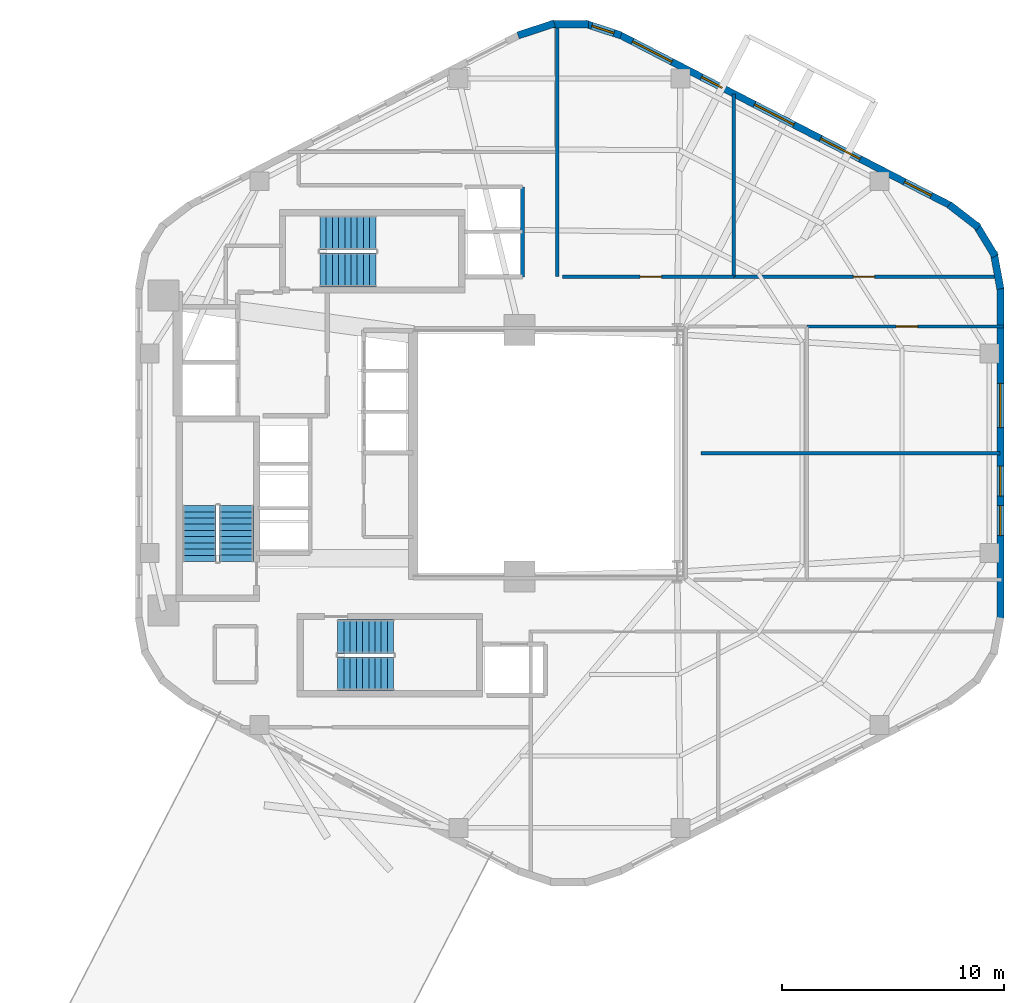
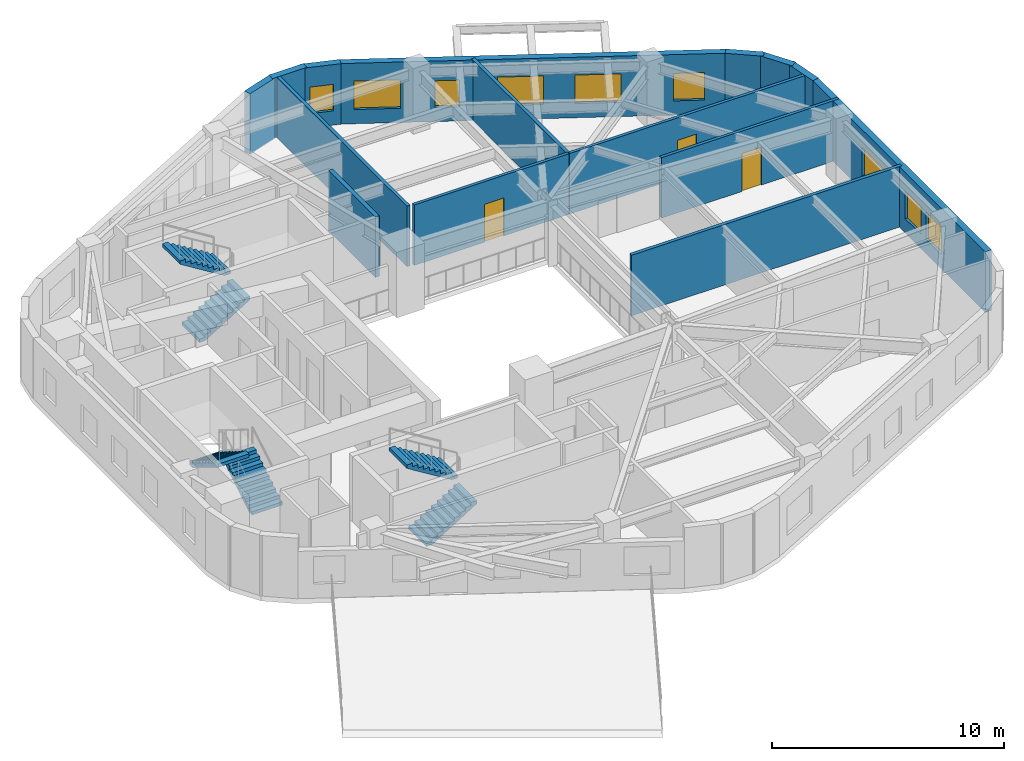
# One storey, part 5 of 7: 15 walls, 9 windows, 6 stair flights, 3 doors, 12 openings, 3 elements without a shape of their own.
"""IFC4 building model written with IfcOpenShell, lengths in metres."""

from ifc_helpers import new_model, si_unit, direction, frame, frame_2d, origin, place, context, subcontext, project, spatial, polyline, rectangle, outline, extrude, material, layer, layer_set, type_object, element, fill, aggregate, save


model = new_model("IFC4")

# Units and contexts
model_context = context("Model", 3, precision=1e-05, world=origin(), true_north=direction((0.0, 1.0)))
body_context = subcontext(model_context, "Body", "Model", "MODEL_VIEW")
ifc_project = project(units=[si_unit("LENGTHUNIT", "METRE"), si_unit("AREAUNIT", "SQUARE_METRE"), si_unit("VOLUMEUNIT", "CUBIC_METRE"), si_unit("PLANEANGLEUNIT", "RADIAN"), si_unit("MASSUNIT", "GRAM", prefix="KILO"), si_unit("THERMODYNAMICTEMPERATUREUNIT", "KELVIN"), si_unit("POWERUNIT", "WATT")], contexts=[model_context])

# Site, building, storey
site_placement = place(None, origin())
site = spatial("IfcSite", under=ifc_project, at=site_placement, CompositionType="ELEMENT")
building_placement = place(site_placement, origin())
building = spatial("IfcBuilding", under=site, at=building_placement, Name="Skarre Station Tower", CompositionType="ELEMENT")
storey_placement = place(building_placement, frame((0.0, 0.0, 184.35009765625)))
storey = spatial("IfcBuildingStorey", under=building, at=storey_placement, Name="L50", CompositionType="ELEMENT", Elevation=184.35009765625)

# Wall, opening, door
ifc_material_1 = material(Name="Acoustic Steel-Stud Gypsum Partition", Category="steel")
ifc_layer_1 = layer(ifc_material_1, 0.14990234375, Name="Acoustic Steel-Stud Gypsum Partition")
ifc_layer_set_1 = layer_set([ifc_layer_1], Name="Acoustic Steel-Stud Gypsum Partition")
wall_type_1 = type_object("IfcWallType", Name="Fire-Rated Corridor Acoustic Partition 150", PredefinedType="PARTITIONING", material=ifc_layer_set_1)
wall_1_placement = place(storey_placement, frame((42.0029296875, 31.9599609375, 0.0), z_axis=(0.0, 0.0, 1.0), x_axis=(-1.0, 0.0, 0.0)))
wall_1 = element("IfcWall", 1, at=wall_1_placement, inside=storey, type_object=wall_type_1, Name="L50 Interior Partition WL-PT-L50-NW1-CW", PredefinedType="PARTITIONING", context=body_context, shape_type="SweptSolid", body=[
    extrude(rectangle(XDim=7.712890625, YDim=0.14990234375, at=frame_2d((3.8564453125, 0.0))), origin(), (0.0, 0.0, 1.0), 3.18994140625),
])
opening_1_placement = place(wall_1_placement, frame((3.257080078125, 0.0, 0.0)))
opening_1 = element("IfcOpeningElement", 2, at=opening_1_placement, cuts=wall_1, Name="Opening DR-FD60", PredefinedType="OPENING", context=body_context, shape_type="SweptSolid", body=[
    extrude(rectangle(XDim=0.9599609375, YDim=2.0, at=frame_2d((0.47998046875, 1.0))), frame((0.0, 0.0849609375, 0.0), z_axis=(0.0, -1.0, 0.0), x_axis=(1.0, 0.0, 0.0)), (0.0, 0.0, 1.0), 0.169921875),
])
ifc_material_2 = material(Name="Nordic White-Oak Veneer Solid-Core Fire Leaf", Category="wood")
door_type = type_object("IfcDoorType", Name="Corridor Suite Entry Fire Door FD60 960x2150", OperationType="SINGLE_SWING_LEFT", PredefinedType="DOOR", material=ifc_material_2)
door_1_placement = place(opening_1_placement, origin())
door_1 = element("IfcDoor", 3, at=door_1_placement, inside=storey, type_object=door_type, Name="L50 NW1 Entry Door", OperationType="SINGLE_SWING_LEFT", OverallHeight=2.0, OverallWidth=0.9599609375, PredefinedType="DOOR", context=body_context, shape_type="SweptSolid", body=[
    extrude(rectangle(XDim=0.9599609375, YDim=2.0, at=frame_2d((0.47998046875, 1.0))), frame((0.0, 0.02490234375, 0.0), z_axis=(0.0, -1.0, 0.0), x_axis=(1.0, 0.0, 0.0)), (0.0, 0.0, 1.0), 0.050048828125),
])
fill(opening_1, door_1)

wall_2_placement = place(storey_placement, frame((53.969970703125, 31.9599609375, 0.0), z_axis=(0.0, 0.0, 1.0), x_axis=(-1.0, 0.0, 0.0)))
wall_2 = element("IfcWall", 4, at=wall_2_placement, inside=storey, type_object=wall_type_1, Name="L50 Interior Partition WL-PT-L50-NW2-CW", PredefinedType="PARTITIONING", context=body_context, shape_type="SweptSolid", body=[
    extrude(rectangle(XDim=11.95703125, YDim=0.14990234375, at=frame_2d((5.978515625, 0.0))), origin(), (0.0, 0.0, 1.0), 3.18994140625),
])
opening_2_placement = place(wall_2_placement, frame((5.617919921875, 0.0, 0.0)))
opening_2 = element("IfcOpeningElement", 5, at=opening_2_placement, cuts=wall_2, Name="Opening DR-FD60", PredefinedType="OPENING", context=body_context, shape_type="SweptSolid", body=[
    extrude(rectangle(XDim=0.9599609375, YDim=2.0, at=frame_2d((0.47998046875, 1.0))), frame((0.0, 0.0849609375, 0.0), z_axis=(0.0, -1.0, 0.0), x_axis=(1.0, 0.0, 0.0)), (0.0, 0.0, 1.0), 0.169921875),
])
door_2_placement = place(opening_2_placement, origin())
door_2 = element("IfcDoor", 6, at=door_2_placement, inside=storey, type_object=door_type, Name="L50 NW2 Entry Door", OperationType="SINGLE_SWING_LEFT", OverallHeight=2.0, OverallWidth=0.9599609375, PredefinedType="DOOR", context=body_context, shape_type="SweptSolid", body=[
    extrude(rectangle(XDim=0.9599609375, YDim=2.0, at=frame_2d((0.47998046875, 1.0))), frame((0.0, 0.02490234375, 0.0), z_axis=(0.0, -1.0, 0.0), x_axis=(1.0, 0.0, 0.0)), (0.0, 0.0, 1.0), 0.050048828125),
])
fill(opening_2, door_2)

wall_3_placement = place(storey_placement, frame((45.301025390625, 29.7099609375, 0.0), z_axis=(0.0, 0.0, 1.0), x_axis=(1.0, 0.0, 0.0)))
wall_3 = element("IfcWall", 7, at=wall_3_placement, inside=storey, type_object=wall_type_1, Name="L50 Interior Partition WL-PT-L50-EWN2-CW", PredefinedType="PARTITIONING", context=body_context, shape_type="SweptSolid", body=[
    extrude(rectangle(XDim=8.861083984375, YDim=0.14990234375, at=frame_2d((4.4306640625, 0.0))), origin(), (0.0, 0.0, 1.0), 3.18994140625),
])
opening_3_placement = place(wall_3_placement, frame((4.02490234375, 0.0, 0.0)))
opening_3 = element("IfcOpeningElement", 8, at=opening_3_placement, cuts=wall_3, Name="Opening DR-FD60", PredefinedType="OPENING", context=body_context, shape_type="SweptSolid", body=[
    extrude(rectangle(XDim=0.9599609375, YDim=2.0, at=frame_2d((0.47998046875, 1.0))), frame((0.0, 0.0849609375, 0.0), z_axis=(0.0, -1.0, 0.0), x_axis=(1.0, 0.0, 0.0)), (0.0, 0.0, 1.0), 0.169921875),
])
door_3_placement = place(opening_3_placement, origin())
door_3 = element("IfcDoor", 9, at=door_3_placement, inside=storey, type_object=door_type, Name="L50 EWN2 Entry Door", OperationType="SINGLE_SWING_LEFT", OverallHeight=2.0, OverallWidth=0.9599609375, PredefinedType="DOOR", context=body_context, shape_type="SweptSolid", body=[
    extrude(rectangle(XDim=0.9599609375, YDim=2.0, at=frame_2d((0.47998046875, 1.0))), frame((0.0, 0.02490234375, 0.0), z_axis=(0.0, -1.0, 0.0), x_axis=(1.0, 0.0, 0.0)), (0.0, 0.0, 1.0), 0.050048828125),
])
fill(opening_3, door_3)

# Walls
ifc_material_3 = material(Name="Precast concrete C45/55", Category="concrete")
ifc_layer_2 = layer(ifc_material_3, 0.330078125, Name="Precast concrete C45/55")
ifc_layer_set_2 = layer_set([ifc_layer_2], Name="Precast concrete C45/55")
wall_type_2 = type_object("IfcWallType", Name="Nordic Rounded Corner Precast Wall 330", PredefinedType="STANDARD", material=ifc_layer_set_2)
wall_4_placement = place(storey_placement, frame((51.7109375, 35.199951171875, 0.0), z_axis=(0.0, 0.0, 1.0), x_axis=(0.791464279355, -0.611215423976, 0.0)))
element("IfcWall", 10, at=wall_4_placement, inside=storey, type_object=wall_type_2, Name="L50 Rounded Corner Precast Wall F0-1", PredefinedType="STANDARD", context=body_context, shape_type="SweptSolid", body=[
    extrude(rectangle(XDim=1.6767578125, YDim=0.330078125, at=frame_2d((0.83837890625, 0.0))), origin(), (0.0, 0.0, 1.0), 3.18994140625),
])
wall_5_placement = place(storey_placement, frame((52.912109375, 34.31494140625, 0.0), z_axis=(0.0, 0.0, 1.0), x_axis=(0.520219286058, -0.85403272444, 0.0)))
element("IfcWall", 11, at=wall_5_placement, inside=storey, type_object=wall_type_2, Name="L50 Rounded Corner Precast Wall F0-2", PredefinedType="STANDARD", context=body_context, shape_type="SweptSolid", body=[
    extrude(rectangle(XDim=1.677734375, YDim=0.330078125, at=frame_2d((0.8388671875, 0.0))), origin(), (0.0, 0.0, 1.0), 3.18994140625),
])
wall_6_placement = place(storey_placement, frame((53.718017578125, 33.056884765625, 0.0), z_axis=(0.0, 0.0, 1.0), x_axis=(0.180717642671, -0.983535019014, 0.0)))
element("IfcWall", 12, at=wall_6_placement, inside=storey, type_object=wall_type_2, Name="L50 Rounded Corner Precast Wall F0-3", PredefinedType="STANDARD", context=body_context, shape_type="SweptSolid", body=[
    extrude(rectangle(XDim=1.676513671875, YDim=0.330078125, at=frame_2d((0.83837890625, 0.0))), origin(), (0.0, 0.0, 1.0), 3.18994140625),
])
wall_7_placement = place(storey_placement, frame((32.281005859375, 42.83203125, 0.0), z_axis=(0.0, 0.0, 1.0), x_axis=(0.949937416267, 0.312440242569, 0.0)))
element("IfcWall", 13, at=wall_7_placement, inside=storey, type_object=wall_type_2, Name="L50 Rounded Corner Precast Wall F1-1", PredefinedType="STANDARD", context=body_context, shape_type="SweptSolid", body=[
    extrude(rectangle(XDim=1.72216796875, YDim=0.330078125, at=frame_2d((0.861083984375, 0.0))), origin(), (0.0, 0.0, 1.0), 3.18994140625),
])
wall_8_placement = place(storey_placement, frame((33.739013671875, 43.341064453125, 0.0), z_axis=(0.0, 0.0, 1.0), x_axis=(1.0, 0.0, 0.0)))
element("IfcWall", 14, at=wall_8_placement, inside=storey, type_object=wall_type_2, Name="L50 Rounded Corner Precast Wall F1-2", PredefinedType="STANDARD", context=body_context, shape_type="SweptSolid", body=[
    extrude(rectangle(XDim=1.721923828125, YDim=0.330078125, at=frame_2d((0.86083984375, 0.0))), origin(), (0.0, 0.0, 1.0), 3.18994140625),
])

# Wall, opening, window
wall_9_placement = place(storey_placement, frame((35.282958984375, 43.3701171875, 0.0), z_axis=(0.0, 0.0, 1.0), x_axis=(0.949937416267, -0.312440242569, 0.0)))
wall_9 = element("IfcWall", 15, at=wall_9_placement, inside=storey, type_object=wall_type_2, Name="L50 Rounded Corner Precast Wall F1-3", PredefinedType="STANDARD", context=body_context, shape_type="SweptSolid", body=[
    extrude(rectangle(XDim=1.72216796875, YDim=0.330078125, at=frame_2d((0.861083984375, 0.0))), origin(), (0.0, 0.0, 1.0), 3.18994140625),
])
opening_4_placement = place(wall_9_placement, frame((0.3359375, 0.0, 0.75)))
opening_4 = element("IfcOpeningElement", 16, at=opening_4_placement, cuts=wall_9, Name="Opening WN-SLT", PredefinedType="OPENING", context=body_context, shape_type="SweptSolid", body=[
    extrude(rectangle(XDim=1.050048828125, YDim=1.39990234375, at=frame_2d((0.52490234375, 0.699951171875))), frame((0.0, 0.175048828125, 0.0), z_axis=(0.0, -1.0, 0.0), x_axis=(1.0, 0.0, 0.0)), (0.0, 0.0, 1.0), 0.35009765625),
])
ifc_material_4 = material(Name="Low-Iron Triple Glazing with Bronze Anodized Frame", Category="glass")
window_type_1 = type_object("IfcWindowType", Name="Nordic Corner Slot Window 1050x1400", PartitioningType="SINGLE_PANEL", PredefinedType="WINDOW", material=ifc_material_4)
window_1_placement = place(opening_4_placement, origin())
window_1 = element("IfcWindow", 17, at=window_1_placement, inside=storey, type_object=window_type_1, Name="L50 Apex Corner Slot Window F1-3", OverallHeight=1.39990234375, OverallWidth=1.050048828125, PartitioningType="SINGLE_PANEL", PredefinedType="WINDOW", context=body_context, shape_type="SweptSolid", body=[
    extrude(rectangle(XDim=1.050048828125, YDim=1.39990234375, at=frame_2d((0.52490234375, 0.699951171875))), frame((0.0, 0.030029296875, 0.0), z_axis=(0.0, -1.0, 0.0), x_axis=(1.0, 0.0, 0.0)), (0.0, 0.0, 1.0), 0.06005859375),
])
fill(opening_4, window_1)

# Wall, openings, windows
ifc_layer_3 = layer(ifc_material_3, 0.31005859375, Name="Precast concrete C45/55")
ifc_layer_set_3 = layer_set([ifc_layer_3], Name="Precast concrete C45/55")
wall_type_3 = type_object("IfcWallType", Name="Nordic Upper-Zone Precast Facet Wall 310", PredefinedType="STANDARD", material=ifc_layer_set_3)
wall_10_placement = place(storey_placement, frame((36.837890625, 42.87109375, 0.0), z_axis=(0.0, 0.0, 1.0), x_axis=(0.888626188278, -0.458632202867, 0.0)))
wall_10 = element("IfcWall", 18, at=wall_10_placement, inside=storey, type_object=wall_type_3, Name="L50 Facet 0 Nordic Precast Masonry Wall", PredefinedType="STANDARD", context=body_context, shape_type="SweptSolid", body=[
    extrude(rectangle(XDim=16.828369140625, YDim=0.31005859375, at=frame_2d((8.4140625, 0.0))), origin(), (0.0, 0.0, 1.0), 3.18994140625),
])
opening_5_placement = place(wall_10_placement, frame((0.675048828125, 0.0, 0.75)))
opening_5 = element("IfcOpeningElement", 19, at=opening_5_placement, cuts=wall_10, Name="Opening WN-Z3A", PredefinedType="OPENING", context=body_context, shape_type="SweptSolid", body=[
    extrude(rectangle(XDim=2.0, YDim=1.5, at=frame_2d((1.0, 0.75))), frame((0.0, 0.1650390625, 0.0), z_axis=(0.0, -1.0, 0.0), x_axis=(1.0, 0.0, 0.0)), (0.0, 0.0, 1.0), 0.330078125),
])
opening_6_placement = place(wall_10_placement, frame((4.172119140625, 0.0, 0.75)))
opening_6 = element("IfcOpeningElement", 20, at=opening_6_placement, cuts=wall_10, Name="Opening WN-SLT", PredefinedType="OPENING", context=body_context, shape_type="SweptSolid", body=[
    extrude(rectangle(XDim=1.050048828125, YDim=1.39990234375, at=frame_2d((0.52490234375, 0.699951171875))), frame((0.0, 0.1650390625, 0.0), z_axis=(0.0, -1.0, 0.0), x_axis=(1.0, 0.0, 0.0)), (0.0, 0.0, 1.0), 0.330078125),
])
opening_7_placement = place(wall_10_placement, frame((6.864990234375, 0.0, 0.75)))
opening_7 = element("IfcOpeningElement", 21, at=opening_7_placement, cuts=wall_10, Name="Opening WN-Z3A", PredefinedType="OPENING", context=body_context, shape_type="SweptSolid", body=[
    extrude(rectangle(XDim=2.0, YDim=1.5, at=frame_2d((1.0, 0.75))), frame((0.0, 0.1650390625, 0.0), z_axis=(0.0, -1.0, 0.0), x_axis=(1.0, 0.0, 0.0)), (0.0, 0.0, 1.0), 0.330078125),
])
opening_8_placement = place(wall_10_placement, frame((10.219970703125, 0.0, 0.75)))
opening_8 = element("IfcOpeningElement", 22, at=opening_8_placement, cuts=wall_10, Name="Opening WN-Z3A", PredefinedType="OPENING", context=body_context, shape_type="SweptSolid", body=[
    extrude(rectangle(XDim=2.0, YDim=1.5, at=frame_2d((1.0, 0.75))), frame((0.0, 0.1650390625, 0.0), z_axis=(0.0, -1.0, 0.0), x_axis=(1.0, 0.0, 0.0)), (0.0, 0.0, 1.0), 0.330078125),
])
opening_9_placement = place(wall_10_placement, frame((14.47802734375, 0.0, 0.75)))
opening_9 = element("IfcOpeningElement", 23, at=opening_9_placement, cuts=wall_10, Name="Opening WN-Z3B", PredefinedType="OPENING", context=body_context, shape_type="SweptSolid", body=[
    extrude(rectangle(XDim=1.35009765625, YDim=1.449951171875, at=frame_2d((0.675048828125, 0.72509765625))), frame((0.0, 0.1650390625, 0.0), z_axis=(0.0, -1.0, 0.0), x_axis=(1.0, 0.0, 0.0)), (0.0, 0.0, 1.0), 0.330078125),
])
window_2_placement = place(opening_6_placement, origin())
window_2 = element("IfcWindow", 24, at=window_2_placement, inside=storey, type_object=window_type_1, Name="L50 Facade Window WL-FAC-L50-F0-2", OverallHeight=1.39990234375, OverallWidth=1.050048828125, PartitioningType="SINGLE_PANEL", PredefinedType="WINDOW", context=body_context, shape_type="SweptSolid", body=[
    extrude(rectangle(XDim=1.050048828125, YDim=1.39990234375, at=frame_2d((0.52490234375, 0.699951171875))), frame((0.0, 0.030029296875, 0.0), z_axis=(0.0, -1.0, 0.0), x_axis=(1.0, 0.0, 0.0)), (0.0, 0.0, 1.0), 0.06005859375),
])
fill(opening_6, window_2)
window_type_2 = type_object("IfcWindowType", Name="Nordic Hospitality Narrow Window 1350x1450", PartitioningType="SINGLE_PANEL", PredefinedType="WINDOW", material=ifc_material_4)
window_3_placement = place(opening_9_placement, origin())
window_3 = element("IfcWindow", 25, at=window_3_placement, inside=storey, type_object=window_type_2, Name="L50 Facade Window WL-FAC-L50-F0-5", OverallHeight=1.449951171875, OverallWidth=1.35009765625, PartitioningType="SINGLE_PANEL", PredefinedType="WINDOW", context=body_context, shape_type="SweptSolid", body=[
    extrude(rectangle(XDim=1.35009765625, YDim=1.449951171875, at=frame_2d((0.675048828125, 0.72509765625))), frame((0.0, 0.030029296875, 0.0), z_axis=(0.0, -1.0, 0.0), x_axis=(1.0, 0.0, 0.0)), (0.0, 0.0, 1.0), 0.06005859375),
])
fill(opening_9, window_3)
window_type_3 = type_object("IfcWindowType", Name="Nordic Hospitality Window 2000x1500", PartitioningType="SINGLE_PANEL", PredefinedType="WINDOW", material=ifc_material_4)
window_4_placement = place(opening_5_placement, origin())
window_4 = element("IfcWindow", 26, at=window_4_placement, inside=storey, type_object=window_type_3, Name="L50 Facade Window WL-FAC-L50-F0-1", OverallHeight=1.5, OverallWidth=2.0, PartitioningType="SINGLE_PANEL", PredefinedType="WINDOW", context=body_context, shape_type="SweptSolid", body=[
    extrude(rectangle(XDim=2.0, YDim=1.5, at=frame_2d((1.0, 0.75))), frame((0.0, 0.030029296875, 0.0), z_axis=(0.0, -1.0, 0.0), x_axis=(1.0, 0.0, 0.0)), (0.0, 0.0, 1.0), 0.06005859375),
])
fill(opening_5, window_4)
window_5_placement = place(opening_7_placement, origin())
window_5 = element("IfcWindow", 27, at=window_5_placement, inside=storey, type_object=window_type_3, Name="L50 Facade Window WL-FAC-L50-F0-3", OverallHeight=1.5, OverallWidth=2.0, PartitioningType="SINGLE_PANEL", PredefinedType="WINDOW", context=body_context, shape_type="SweptSolid", body=[
    extrude(rectangle(XDim=2.0, YDim=1.5, at=frame_2d((1.0, 0.75))), frame((0.0, 0.030029296875, 0.0), z_axis=(0.0, -1.0, 0.0), x_axis=(1.0, 0.0, 0.0)), (0.0, 0.0, 1.0), 0.06005859375),
])
fill(opening_7, window_5)
window_6_placement = place(opening_8_placement, origin())
window_6 = element("IfcWindow", 28, at=window_6_placement, inside=storey, type_object=window_type_3, Name="L50 Facade Window WL-FAC-L50-F0-4", OverallHeight=1.5, OverallWidth=2.0, PartitioningType="SINGLE_PANEL", PredefinedType="WINDOW", context=body_context, shape_type="SweptSolid", body=[
    extrude(rectangle(XDim=2.0, YDim=1.5, at=frame_2d((1.0, 0.75))), frame((0.0, 0.030029296875, 0.0), z_axis=(0.0, -1.0, 0.0), x_axis=(1.0, 0.0, 0.0)), (0.0, 0.0, 1.0), 0.06005859375),
])
fill(opening_8, window_6)

wall_11_placement = place(storey_placement, frame((54.01708984375, 31.501953125, 0.0), z_axis=(0.0, 0.0, 1.0), x_axis=(0.0, -1.0, 0.0)))
wall_11 = element("IfcWall", 29, at=wall_11_placement, inside=storey, type_object=wall_type_3, Name="L50 Facet 5 Nordic Precast Masonry Wall", PredefinedType="STANDARD", context=body_context, shape_type="SweptSolid", body=[
    extrude(rectangle(XDim=15.00390625, YDim=0.31005859375, at=frame_2d((7.501953125, 0.0))), origin(), (0.0, 0.0, 1.0), 3.18994140625),
])
opening_10_placement = place(wall_11_placement, frame((4.35302734375, 0.0, 0.75)))
opening_10 = element("IfcOpeningElement", 30, at=opening_10_placement, cuts=wall_11, Name="Opening WN-Z3A", PredefinedType="OPENING", context=body_context, shape_type="SweptSolid", body=[
    extrude(rectangle(XDim=2.0, YDim=1.5, at=frame_2d((1.0, 0.75))), frame((0.0, 0.1650390625, 0.0), z_axis=(0.0, -1.0, 0.0), x_axis=(1.0, 0.0, 0.0)), (0.0, 0.0, 1.0), 0.330078125),
])
opening_11_placement = place(wall_11_placement, frame((8.0830078125, 0.0, 0.75)))
opening_11 = element("IfcOpeningElement", 31, at=opening_11_placement, cuts=wall_11, Name="Opening WN-Z3B", PredefinedType="OPENING", context=body_context, shape_type="SweptSolid", body=[
    extrude(rectangle(XDim=1.35009765625, YDim=1.449951171875, at=frame_2d((0.675048828125, 0.72509765625))), frame((0.0, 0.1650390625, 0.0), z_axis=(0.0, -1.0, 0.0), x_axis=(1.0, 0.0, 0.0)), (0.0, 0.0, 1.0), 0.330078125),
])
opening_12_placement = place(wall_11_placement, frame((9.8701171875, 0.0, 0.75)))
opening_12 = element("IfcOpeningElement", 32, at=opening_12_placement, cuts=wall_11, Name="Opening WN-Z3B", PredefinedType="OPENING", context=body_context, shape_type="SweptSolid", body=[
    extrude(rectangle(XDim=1.35009765625, YDim=1.449951171875, at=frame_2d((0.675048828125, 0.72509765625))), frame((0.0, 0.1650390625, 0.0), z_axis=(0.0, -1.0, 0.0), x_axis=(1.0, 0.0, 0.0)), (0.0, 0.0, 1.0), 0.330078125),
])
window_7_placement = place(opening_11_placement, origin())
window_7 = element("IfcWindow", 33, at=window_7_placement, inside=storey, type_object=window_type_2, Name="L50 Facade Window WL-FAC-L50-F5-2", OverallHeight=1.449951171875, OverallWidth=1.35009765625, PartitioningType="SINGLE_PANEL", PredefinedType="WINDOW", context=body_context, shape_type="SweptSolid", body=[
    extrude(rectangle(XDim=1.35009765625, YDim=1.449951171875, at=frame_2d((0.675048828125, 0.72509765625))), frame((0.0, 0.030029296875, 0.0), z_axis=(0.0, -1.0, 0.0), x_axis=(1.0, 0.0, 0.0)), (0.0, 0.0, 1.0), 0.06005859375),
])
fill(opening_11, window_7)
window_8_placement = place(opening_12_placement, origin())
window_8 = element("IfcWindow", 34, at=window_8_placement, inside=storey, type_object=window_type_2, Name="L50 Facade Window WL-FAC-L50-F5-3", OverallHeight=1.449951171875, OverallWidth=1.35009765625, PartitioningType="SINGLE_PANEL", PredefinedType="WINDOW", context=body_context, shape_type="SweptSolid", body=[
    extrude(rectangle(XDim=1.35009765625, YDim=1.449951171875, at=frame_2d((0.675048828125, 0.72509765625))), frame((0.0, 0.030029296875, 0.0), z_axis=(0.0, -1.0, 0.0), x_axis=(1.0, 0.0, 0.0)), (0.0, 0.0, 1.0), 0.06005859375),
])
fill(opening_12, window_8)
window_9_placement = place(opening_10_placement, origin())
window_9 = element("IfcWindow", 35, at=window_9_placement, inside=storey, type_object=window_type_3, Name="L50 Facade Window WL-FAC-L50-F5-1", OverallHeight=1.5, OverallWidth=2.0, PartitioningType="SINGLE_PANEL", PredefinedType="WINDOW", context=body_context, shape_type="SweptSolid", body=[
    extrude(rectangle(XDim=2.0, YDim=1.5, at=frame_2d((1.0, 0.75))), frame((0.0, 0.030029296875, 0.0), z_axis=(0.0, -1.0, 0.0), x_axis=(1.0, 0.0, 0.0)), (0.0, 0.0, 1.0), 0.06005859375),
])
fill(opening_10, window_9)

# Walls
ifc_material_5 = material(Name="Gypsum Concrete Shaft Assembly C30/37", Category="concrete")
ifc_layer_4 = layer(ifc_material_5, 0.199951171875, Name="Gypsum Concrete Shaft Assembly C30/37")
ifc_layer_set_4 = layer_set([ifc_layer_4], Name="Gypsum Concrete Shaft Assembly C30/37")
wall_type_4 = type_object("IfcWallType", Name="Shaft & Core Fire Partition 200", PredefinedType="PARTITIONING", material=ifc_layer_set_4)
wall_12_placement = place(storey_placement, frame((32.47998046875, 31.949951171875, 0.0), z_axis=(0.0, 0.0, 1.0), x_axis=(0.0, 1.0, 0.0)))
element("IfcWall", 36, at=wall_12_placement, inside=storey, type_object=wall_type_4, Name="L50 Interior Partition WL-PT-L50-EX-E", PredefinedType="PARTITIONING", context=body_context, shape_type="SweptSolid", body=[
    extrude(rectangle(XDim=4.050048828125, YDim=0.199951171875, at=frame_2d((2.02490234375, 0.0))), origin(), (0.0, 0.0, 1.0), 3.18994140625),
])
ifc_layer_5 = layer(ifc_material_1, 0.1650390625, Name="Acoustic Steel-Stud Gypsum Partition")
ifc_layer_set_5 = layer_set([ifc_layer_5], Name="Acoustic Steel-Stud Gypsum Partition")
wall_type_5 = type_object("IfcWallType", Name="Suite Demising Acoustic Partition 165", PredefinedType="PARTITIONING", material=ifc_layer_set_5)
wall_13_placement = place(storey_placement, frame((34.0400390625, 31.9599609375, 0.0), z_axis=(0.0, 0.0, 1.0), x_axis=(0.0, 1.0, 0.0)))
element("IfcWall", 37, at=wall_13_placement, inside=storey, type_object=wall_type_5, Name="L50 Interior Partition WL-PT-L50-NW-WBND", PredefinedType="PARTITIONING", context=body_context, shape_type="SweptSolid", body=[
    extrude(rectangle(XDim=11.3759765625, YDim=0.1650390625, at=frame_2d((5.68798828125, 0.0))), origin(), (0.0, 0.0, 1.0), 3.18994140625),
])
wall_14_placement = place(storey_placement, frame((42.008056640625, 31.969970703125, 0.0), z_axis=(0.0, 0.0, 1.0), x_axis=(0.0, 1.0, 0.0)))
element("IfcWall", 38, at=wall_14_placement, inside=storey, type_object=wall_type_5, Name="L50 Interior Partition WL-PT-L50-NW-P1", PredefinedType="PARTITIONING", context=body_context, shape_type="SweptSolid", body=[
    extrude(rectangle(XDim=8.216064453125, YDim=0.1650390625, at=frame_2d((4.10791015625, 0.0))), origin(), (0.0, 0.0, 1.0), 3.18994140625),
])
wall_15_placement = place(storey_placement, frame((40.52001953125, 24.0, 0.0), z_axis=(0.0, 0.0, 1.0), x_axis=(1.0, 0.0, 0.0)))
element("IfcWall", 39, at=wall_15_placement, inside=storey, type_object=wall_type_5, Name="L50 Interior Partition WL-PT-L50-EW-Z2MID", PredefinedType="PARTITIONING", context=body_context, shape_type="SweptSolid", body=[
    extrude(rectangle(XDim=13.48193359375, YDim=0.1650390625, at=frame_2d((6.740966796875, 0.0))), origin(), (0.0, 0.0, 1.0), 3.18994140625),
])

# Stair, stair flights
ifc_material_6 = material(Name="Concrete C40/50", Category="concrete")
stair_type_1 = type_object("IfcStairType", Name="Reinforced Concrete Exit Stair ST-1", PredefinedType="HALF_TURN_STAIR", material=ifc_material_6)
stair_1_placement = place(storey_placement, origin())
stair_1 = element("IfcStair", 40, at=stair_1_placement, inside=storey, type_object=stair_type_1, Name="L50 Core Exit Stair ST-1", PredefinedType="HALF_TURN_STAIR")
stair_flight_type_1 = type_object("IfcStairFlightType", Name="Reinforced Concrete Stair Flight ST-1", PredefinedType="STRAIGHT", material=ifc_material_6)
stair_flight_1_placement = place(storey_placement, frame((19.590087890625, 19.1201171875, 0.0), z_axis=(0.0, 0.0, 1.0), x_axis=(0.0, 1.0, 0.0)))
stair_flight_1 = element("IfcStairFlight", 41, at=stair_flight_1_placement, type_object=stair_flight_type_1, Name="ST-1 flight 1", NumberOfRisers=10, NumberOfTreads=9, PredefinedType="STRAIGHT", RiserHeight=0.1725, TreadLength=0.28, context=body_context, shape_type="SweptSolid", body=[
    extrude(outline(polyline([(0.0, 0.0), (0.0, 0.172607421875), (0.280029296875, 0.172607421875), (0.280029296875, 0.344970703125), (0.56005859375, 0.344970703125), (0.56005859375, 0.517578125), (0.840087890625, 0.517578125), (0.840087890625, 0.68994140625), (1.1201171875, 0.68994140625), (1.1201171875, 0.862548828125), (1.39990234375, 0.862548828125), (1.39990234375, 1.034912109375), (1.679931640625, 1.034912109375), (1.679931640625, 1.20751953125), (1.9599609375, 1.20751953125), (1.9599609375, 1.3798828125), (2.239990234375, 1.3798828125), (2.239990234375, 1.552490234375), (2.52001953125, 1.552490234375), (2.52001953125, 1.72509765625), (2.52001953125, 1.37646484375), (0.285888671875, 0.0), (0.0, 0.0)])), frame((0.0, 0.760009765625, 0.0), z_axis=(0.0, -1.0, 0.0), x_axis=(1.0, 0.0, 0.0)), (0.0, 0.0, 1.0), 1.52001953125),
])
stair_flight_2_placement = place(storey_placement, frame((17.909912109375, 21.639892578125, 1.724853515625), z_axis=(0.0, 0.0, 1.0), x_axis=(0.0, -1.0, 0.0)))
stair_flight_2 = element("IfcStairFlight", 42, at=stair_flight_2_placement, type_object=stair_flight_type_1, Name="ST-1 flight 2", NumberOfRisers=10, NumberOfTreads=9, PredefinedType="STRAIGHT", RiserHeight=0.1725, TreadLength=0.28, context=body_context, shape_type="SweptSolid", body=[
    extrude(outline(polyline([(0.0, 0.0), (0.0, 0.172607421875), (0.280029296875, 0.172607421875), (0.280029296875, 0.344970703125), (0.56005859375, 0.344970703125), (0.56005859375, 0.517578125), (0.840087890625, 0.517578125), (0.840087890625, 0.68994140625), (1.1201171875, 0.68994140625), (1.1201171875, 0.862548828125), (1.39990234375, 0.862548828125), (1.39990234375, 1.034912109375), (1.679931640625, 1.034912109375), (1.679931640625, 1.20751953125), (1.9599609375, 1.20751953125), (1.9599609375, 1.3798828125), (2.239990234375, 1.3798828125), (2.239990234375, 1.552490234375), (2.52001953125, 1.552490234375), (2.52001953125, 1.72509765625), (2.52001953125, 1.37646484375), (0.285888671875, 0.0), (0.0, 0.0)])), frame((0.0, 0.760009765625, 0.0), z_axis=(0.0, -1.0, 0.0), x_axis=(1.0, 0.0, 0.0)), (0.0, 0.0, 1.0), 1.52001953125),
])
aggregate(stair_1, [stair_flight_1, stair_flight_2])

stair_type_2 = type_object("IfcStairType", Name="Reinforced Concrete Exit Stair ST-2", PredefinedType="HALF_TURN_STAIR", material=ifc_material_6)
stair_2_placement = place(storey_placement, origin())
stair_2 = element("IfcStair", 43, at=stair_2_placement, inside=storey, type_object=stair_type_2, Name="L50 Core Exit Stair ST-2", PredefinedType="HALF_TURN_STAIR")
stair_flight_type_2 = type_object("IfcStairFlightType", Name="Reinforced Concrete Stair Flight ST-2", PredefinedType="STRAIGHT", material=ifc_material_6)
stair_flight_3_placement = place(storey_placement, frame((24.14990234375, 14.06005859375, 0.0), z_axis=(0.0, 0.0, 1.0), x_axis=(1.0, 0.0, 0.0)))
stair_flight_3 = element("IfcStairFlight", 44, at=stair_flight_3_placement, type_object=stair_flight_type_2, Name="ST-2 flight 1", NumberOfRisers=10, NumberOfTreads=9, PredefinedType="STRAIGHT", RiserHeight=0.1725, TreadLength=0.28, context=body_context, shape_type="SweptSolid", body=[
    extrude(outline(polyline([(0.0, 0.0), (0.0, 0.172607421875), (0.280029296875, 0.172607421875), (0.280029296875, 0.344970703125), (0.56005859375, 0.344970703125), (0.56005859375, 0.517578125), (0.840087890625, 0.517578125), (0.840087890625, 0.68994140625), (1.1201171875, 0.68994140625), (1.1201171875, 0.862548828125), (1.39990234375, 0.862548828125), (1.39990234375, 1.034912109375), (1.679931640625, 1.034912109375), (1.679931640625, 1.20751953125), (1.9599609375, 1.20751953125), (1.9599609375, 1.3798828125), (2.239990234375, 1.3798828125), (2.239990234375, 1.552490234375), (2.52001953125, 1.552490234375), (2.52001953125, 1.72509765625), (2.52001953125, 1.37646484375), (0.285888671875, 0.0), (0.0, 0.0)])), frame((0.0, 0.760009765625, 0.0), z_axis=(0.0, -1.0, 0.0), x_axis=(1.0, 0.0, 0.0)), (0.0, 0.0, 1.0), 1.52001953125),
])
stair_flight_4_placement = place(storey_placement, frame((26.669921875, 15.739990234375, 1.724853515625), z_axis=(0.0, 0.0, 1.0), x_axis=(-1.0, 0.0, 0.0)))
stair_flight_4 = element("IfcStairFlight", 45, at=stair_flight_4_placement, type_object=stair_flight_type_2, Name="ST-2 flight 2", NumberOfRisers=10, NumberOfTreads=9, PredefinedType="STRAIGHT", RiserHeight=0.1725, TreadLength=0.28, context=body_context, shape_type="SweptSolid", body=[
    extrude(outline(polyline([(0.0, 0.0), (0.0, 0.172607421875), (0.280029296875, 0.172607421875), (0.280029296875, 0.344970703125), (0.56005859375, 0.344970703125), (0.56005859375, 0.517578125), (0.840087890625, 0.517578125), (0.840087890625, 0.68994140625), (1.1201171875, 0.68994140625), (1.1201171875, 0.862548828125), (1.39990234375, 0.862548828125), (1.39990234375, 1.034912109375), (1.679931640625, 1.034912109375), (1.679931640625, 1.20751953125), (1.9599609375, 1.20751953125), (1.9599609375, 1.3798828125), (2.239990234375, 1.3798828125), (2.239990234375, 1.552490234375), (2.52001953125, 1.552490234375), (2.52001953125, 1.72509765625), (2.52001953125, 1.37646484375), (0.285888671875, 0.0), (0.0, 0.0)])), frame((0.0, 0.760009765625, 0.0), z_axis=(0.0, -1.0, 0.0), x_axis=(1.0, 0.0, 0.0)), (0.0, 0.0, 1.0), 1.52001953125),
])
aggregate(stair_2, [stair_flight_3, stair_flight_4])

stair_type_3 = type_object("IfcStairType", Name="Reinforced Concrete Exit Stair ST-3", PredefinedType="HALF_TURN_STAIR", material=ifc_material_6)
stair_3_placement = place(storey_placement, origin())
stair_3 = element("IfcStair", 46, at=stair_3_placement, inside=storey, type_object=stair_type_3, Name="L50 Core Exit Stair ST-3", PredefinedType="HALF_TURN_STAIR")
stair_flight_type_3 = type_object("IfcStairFlightType", Name="Reinforced Concrete Stair Flight ST-3", PredefinedType="STRAIGHT", material=ifc_material_6)
stair_flight_5_placement = place(storey_placement, frame((23.35009765625, 32.260009765625, 0.0), z_axis=(0.0, 0.0, 1.0), x_axis=(1.0, 0.0, 0.0)))
stair_flight_5 = element("IfcStairFlight", 47, at=stair_flight_5_placement, type_object=stair_flight_type_3, Name="ST-3 flight 1", NumberOfRisers=10, NumberOfTreads=9, PredefinedType="STRAIGHT", RiserHeight=0.1725, TreadLength=0.28, context=body_context, shape_type="SweptSolid", body=[
    extrude(outline(polyline([(0.0, 0.0), (0.0, 0.172607421875), (0.280029296875, 0.172607421875), (0.280029296875, 0.344970703125), (0.56005859375, 0.344970703125), (0.56005859375, 0.517578125), (0.840087890625, 0.517578125), (0.840087890625, 0.68994140625), (1.1201171875, 0.68994140625), (1.1201171875, 0.862548828125), (1.39990234375, 0.862548828125), (1.39990234375, 1.034912109375), (1.679931640625, 1.034912109375), (1.679931640625, 1.20751953125), (1.9599609375, 1.20751953125), (1.9599609375, 1.3798828125), (2.239990234375, 1.3798828125), (2.239990234375, 1.552490234375), (2.52001953125, 1.552490234375), (2.52001953125, 1.72509765625), (2.52001953125, 1.37646484375), (0.285888671875, 0.0), (0.0, 0.0)])), frame((0.0, 0.760009765625, 0.0), z_axis=(0.0, -1.0, 0.0), x_axis=(1.0, 0.0, 0.0)), (0.0, 0.0, 1.0), 1.52001953125),
])
stair_flight_6_placement = place(storey_placement, frame((25.8701171875, 33.93994140625, 1.724853515625), z_axis=(0.0, 0.0, 1.0), x_axis=(-1.0, 0.0, 0.0)))
stair_flight_6 = element("IfcStairFlight", 48, at=stair_flight_6_placement, type_object=stair_flight_type_3, Name="ST-3 flight 2", NumberOfRisers=10, NumberOfTreads=9, PredefinedType="STRAIGHT", RiserHeight=0.1725, TreadLength=0.28, context=body_context, shape_type="SweptSolid", body=[
    extrude(outline(polyline([(0.0, 0.0), (0.0, 0.172607421875), (0.280029296875, 0.172607421875), (0.280029296875, 0.344970703125), (0.56005859375, 0.344970703125), (0.56005859375, 0.517578125), (0.840087890625, 0.517578125), (0.840087890625, 0.68994140625), (1.1201171875, 0.68994140625), (1.1201171875, 0.862548828125), (1.39990234375, 0.862548828125), (1.39990234375, 1.034912109375), (1.679931640625, 1.034912109375), (1.679931640625, 1.20751953125), (1.9599609375, 1.20751953125), (1.9599609375, 1.3798828125), (2.239990234375, 1.3798828125), (2.239990234375, 1.552490234375), (2.52001953125, 1.552490234375), (2.52001953125, 1.72509765625), (2.52001953125, 1.37646484375), (0.285888671875, 0.0), (0.0, 0.0)])), frame((0.0, 0.760009765625, 0.0), z_axis=(0.0, -1.0, 0.0), x_axis=(1.0, 0.0, 0.0)), (0.0, 0.0, 1.0), 1.52001953125),
])
aggregate(stair_3, [stair_flight_5, stair_flight_6])

save(model, "model.ifc")
